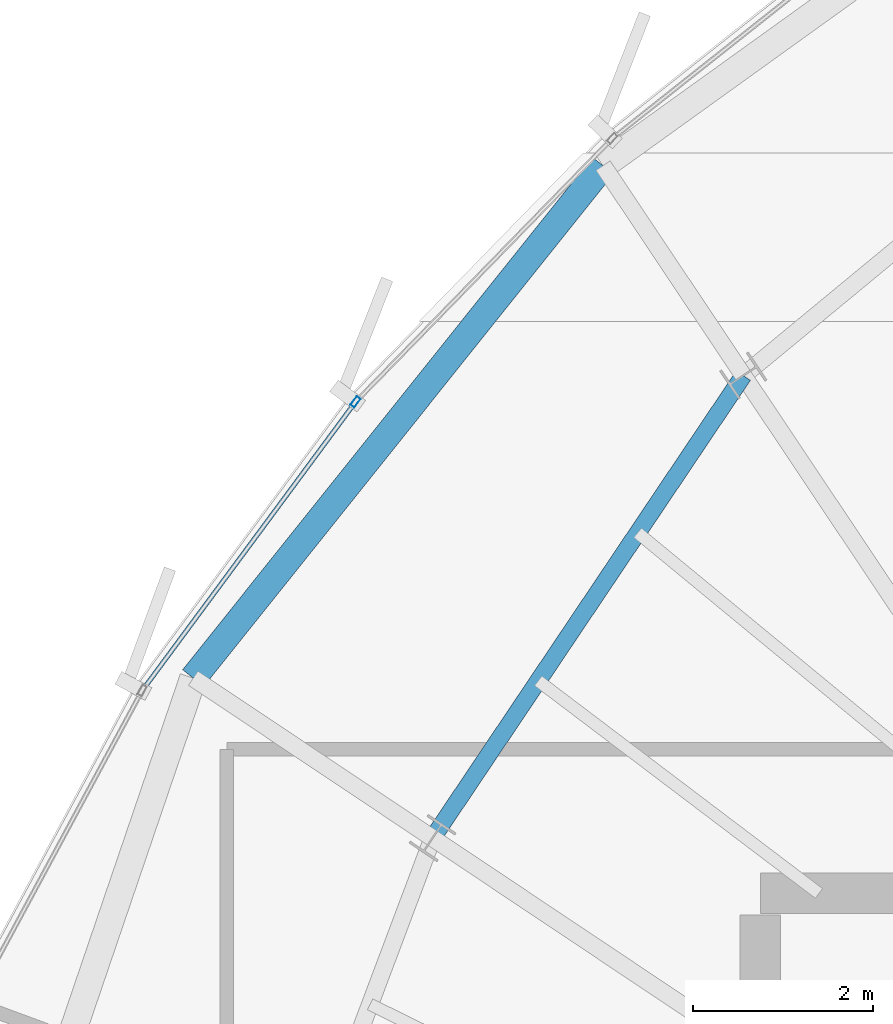
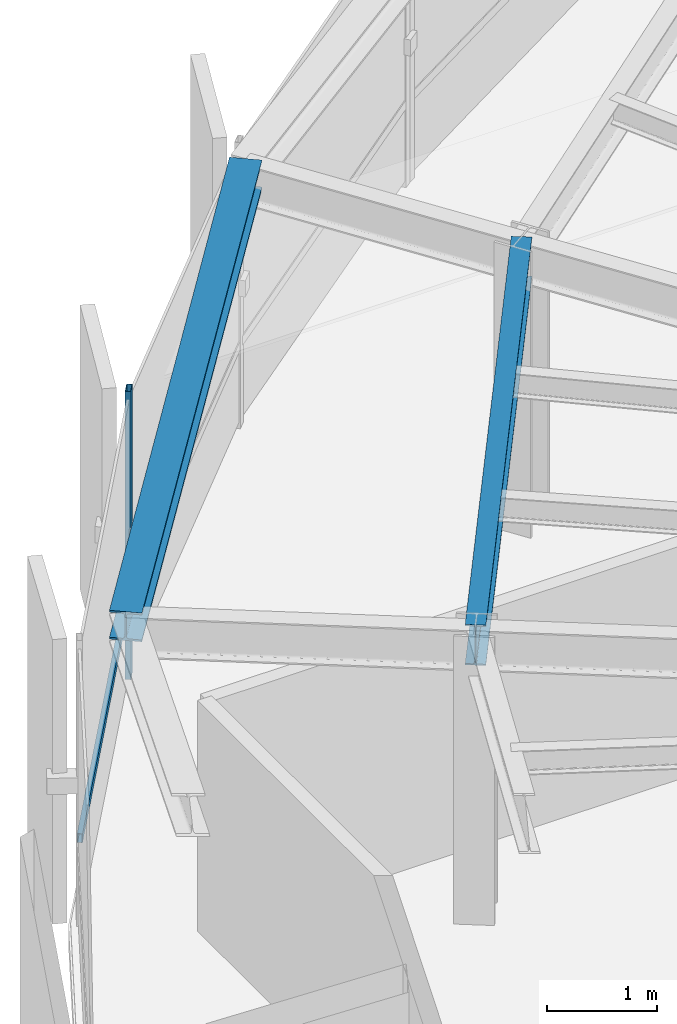
# One storey, part 17 of 33: 2 beams, 2 members, 1 element without a shape of its own.
"""IFC4 building model written with IfcOpenShell, lengths in metres."""

from ifc_helpers import new_model, si_unit, direction, frame, origin, origin_2d, place, context, subcontext, project, spatial, hollow_rectangle, i_section, extrude, source, transform, mapped, material, layer, layer_set, material_profile, profile_set, type_object, element, aggregate, save


model = new_model("IFC4")

# Units and contexts
model_context = context("Model", 3, precision=1e-05, world=origin(), true_north=direction((0.0, 1.0)))
body_context = subcontext(model_context, "Body", "Model", "MODEL_VIEW")
ifc_project = project(units=[si_unit("LENGTHUNIT", "METRE"), si_unit("AREAUNIT", "SQUARE_METRE"), si_unit("VOLUMEUNIT", "CUBIC_METRE"), si_unit("PLANEANGLEUNIT", "RADIAN"), si_unit("MASSUNIT", "GRAM", prefix="KILO"), si_unit("THERMODYNAMICTEMPERATUREUNIT", "KELVIN")], contexts=[model_context])

# Site, building, storey
site_placement = place(None, origin())
site = spatial("IfcSite", under=ifc_project, at=site_placement, CompositionType="ELEMENT")
building_placement = place(site_placement, origin())
building = spatial("IfcBuilding", under=site, at=building_placement, Name="Kethvar Cultural Tower", CompositionType="ELEMENT")
storey_placement = place(building_placement, frame((0.0, 0.0, 266.35009765625)))
storey = spatial("IfcBuildingStorey", under=building, at=storey_placement, Name="L70", CompositionType="ELEMENT", Elevation=266.35009765625)

# Beams
ifc_material_1 = material(Name="Steel S355J2", Category="steel")
ifc_material_profile_1 = material_profile(ifc_material_1, i_section(OverallWidth=0.18994140625, OverallDepth=0.449951171875, WebThickness=0.009521484375, FlangeThickness=0.0146484375, FilletRadius=0.02099609375, at=origin_2d()), Name="Steel S355J2 — IPE450")
ifc_profile_set_1 = profile_set([ifc_material_profile_1], Name="Steel S355J2 — IPE450")
beam_type_1 = type_object("IfcBeamType", Name="BM-IPE450", PredefinedType="BEAM", material=ifc_profile_set_1)
shared_shape_1 = source(origin(), body_context, "Body", "SweptSolid", [
    extrude(i_section(OverallWidth=0.18994140625, OverallDepth=0.449951171875, WebThickness=0.009521484375, FlangeThickness=0.0146484375, FilletRadius=0.02099609375, at=origin_2d()), origin(), (0.0, 0.0, 1.0), 6.192626953125),
])
beam_1_placement = place(storey_placement, frame((37.8095703125, 41.255126953125, 2.98291015625), z_axis=(-0.557698912025, -0.830043326295, 0.0), x_axis=(0.830043326295, -0.557698912025, 0.0)))
element("IfcBeam", 1, at=beam_1_placement, inside=storey, type_object=beam_type_1, Name="L70 Column Ring Tie Beam CR-06", PredefinedType="BEAM", context=body_context, shape_type="MappedRepresentation", body=[
    mapped(shared_shape_1, transform((0.0, 0.0, 0.0), scale=1.0)),
])
ifc_material_profile_2 = material_profile(ifc_material_1, i_section(OverallWidth=0.300048828125, OverallDepth=0.320068359375, WebThickness=0.011474609375, FlangeThickness=0.0205078125, FilletRadius=0.027099609375, at=origin_2d()), Name="Steel S355J2 — HEB320")
ifc_profile_set_2 = profile_set([ifc_material_profile_2], Name="Steel S355J2 — HEB320")
beam_type_2 = type_object("IfcBeamType", Name="BM-SP320", PredefinedType="SPANDREL", material=ifc_profile_set_2)
shared_shape_2 = source(origin(), body_context, "Body", "SweptSolid", [
    extrude(i_section(OverallWidth=0.300048828125, OverallDepth=0.320068359375, WebThickness=0.011474609375, FlangeThickness=0.0205078125, FilletRadius=0.027099609375, at=origin_2d()), origin(), (0.0, 0.0, 1.0), 7.29345703125),
])
beam_2_placement = place(storey_placement, frame((36.250244140625, 43.5888671875, 3.0478515625), z_axis=(-0.624519498763, -0.78100921612, 0.0), x_axis=(0.78100921612, -0.624519498763, 0.0)))
element("IfcBeam", 2, at=beam_2_placement, inside=storey, type_object=beam_type_2, Name="L70 Perimeter Spandrel Beam SP-06", PredefinedType="SPANDREL", context=body_context, shape_type="MappedRepresentation", body=[
    mapped(shared_shape_2, transform((0.0, 0.0, 0.0), scale=1.0)),
])

# Curtain wall, members
ifc_material_2 = material(Name="Aluminium 6063-T6", Category="aluminium")
ifc_layer = layer(ifc_material_2, 0.179931640625, Name="Aluminium 6063-T6", Category="aluminium")
ifc_layer_set = layer_set([ifc_layer], Name="Aluminium 6063-T6 (180 mm)")
curtain_wall_type = type_object("IfcCurtainWallType", Name="CW-SYS-05-Z56", PredefinedType="NOTDEFINED", material=ifc_layer_set)
curtain_wall_placement = place(storey_placement, origin())
curtain_wall = element("IfcCurtainWall", 3, at=curtain_wall_placement, inside=storey, type_object=curtain_wall_type, Name="L70 Curtain Wall Run 02", PredefinedType="NOTDEFINED")
ifc_material_profile_3 = material_profile(ifc_material_2, hollow_rectangle(XDim=0.054931640625, YDim=0.1201171875, WallThickness=0.00390625, at=origin_2d()), Name="Aluminium 6063-T6 — RHS120x55x4")
ifc_profile_set_3 = profile_set([ifc_material_profile_3], Name="Aluminium 6063-T6 — RHS120x55x4")
member_type_1 = type_object("IfcMemberType", Name="CW-SYS-05-Z56-MUL", PredefinedType="MULLION", material=ifc_profile_set_3)
shared_shape_3 = source(origin(), body_context, "Body", "SweptSolid", [
    extrude(hollow_rectangle(XDim=0.054931640625, YDim=0.1201171875, WallThickness=0.00390625, at=origin_2d()), origin(), (0.0, 0.0, 1.0), 3.2099609375),
])
member_1_placement = place(storey_placement, frame((33.5, 40.96240234375, 0.0), z_axis=(0.0, 0.0, 1.0), x_axis=(0.804251185205, -0.594289517909, 0.0)))
member_1 = element("IfcMember", 4, at=member_1_placement, type_object=member_type_1, Name="CW-L70-R02 Mullion 3", PredefinedType="MULLION", context=body_context, shape_type="MappedRepresentation", body=[
    mapped(shared_shape_3, transform((0.0, 0.0, 0.0), scale=1.0)),
])
ifc_material_profile_4 = material_profile(ifc_material_2, hollow_rectangle(XDim=0.050048828125, YDim=0.10009765625, WallThickness=0.00390625, at=origin_2d()), Name="Aluminium 6063-T6 — RHS100x50x4")
ifc_profile_set_4 = profile_set([ifc_material_profile_4], Name="Aluminium 6063-T6 — RHS100x50x4")
member_type_2 = type_object("IfcMemberType", Name="CW-SYS-05-Z56-TRN", PredefinedType="USERDEFINED", material=ifc_profile_set_4)
shared_shape_4 = source(origin(), body_context, "Body", "SweptSolid", [
    extrude(hollow_rectangle(XDim=0.050048828125, YDim=0.10009765625, WallThickness=0.00390625, at=origin_2d()), origin(), (0.0, 0.0, 1.0), 3.925048828125),
])
member_2_placement = place(storey_placement, frame((33.4765625, 40.9306640625, 0.949951171875), z_axis=(-0.594272126734, -0.804264035866, 0.0), x_axis=(0.804264035866, -0.594272126734, 0.0)))
member_2 = element("IfcMember", 5, at=member_2_placement, type_object=member_type_2, Name="CW-L70-R02 Transom 3", ObjectType="TRANSOM", PredefinedType="USERDEFINED", context=body_context, shape_type="MappedRepresentation", body=[
    mapped(shared_shape_4, transform((0.0, 0.0, 0.0), scale=1.0)),
])
aggregate(curtain_wall, [member_1, member_2])

save(model, "model.ifc")
